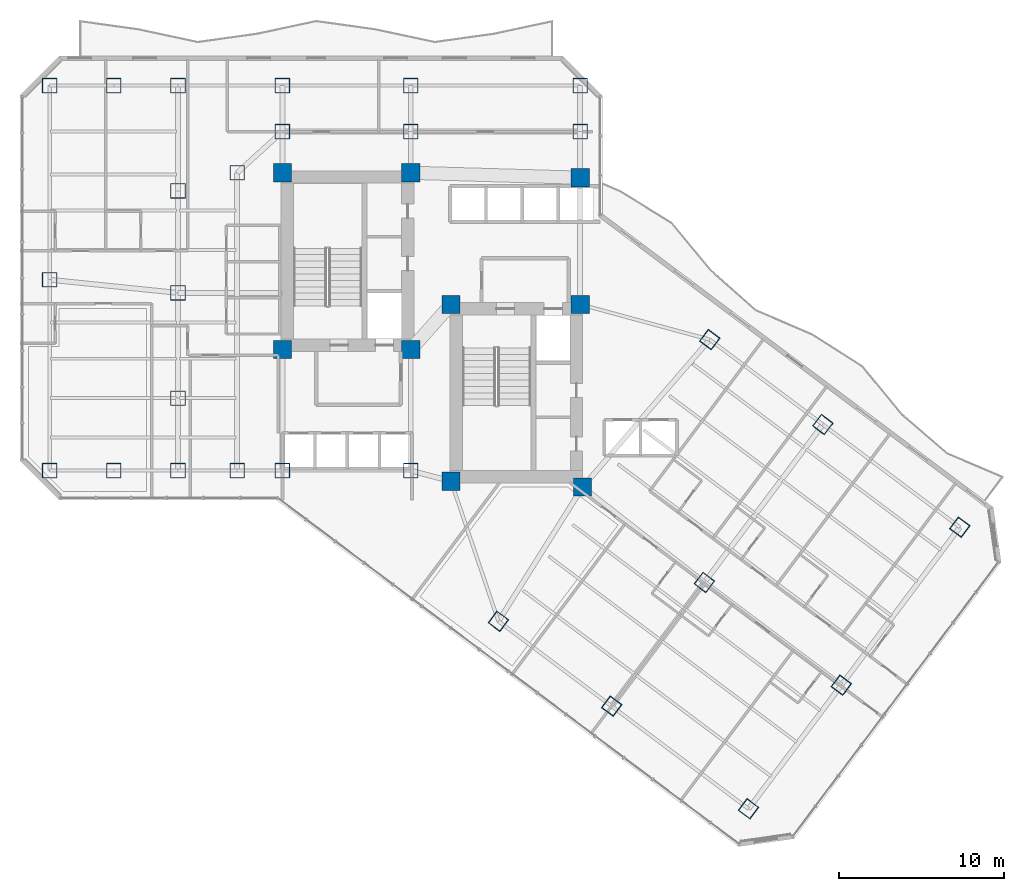
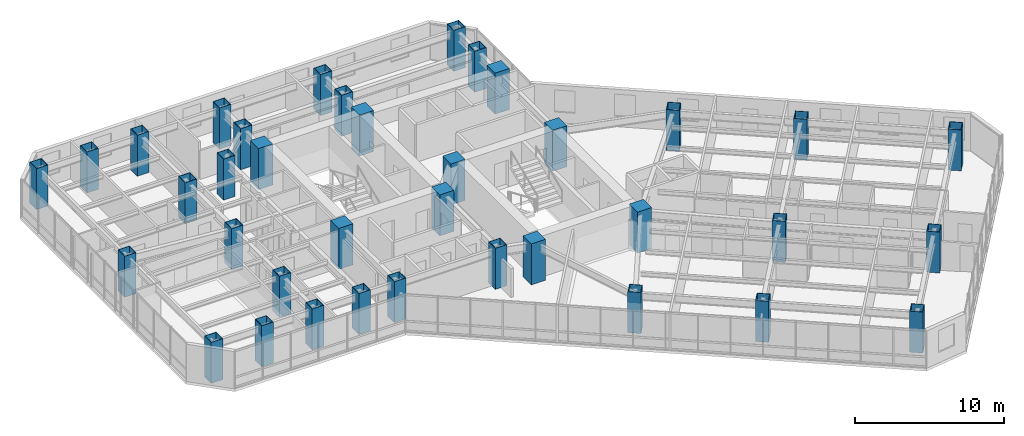
# One storey, part 1 of 36: 37 columns.
"""IFC4 building model written with IfcOpenShell, lengths in metres."""

from ifc_helpers import new_model, si_unit, direction, frame, origin, origin_2d, place, context, subcontext, project, spatial, rectangle, hollow_rectangle, extrude, material, material_profile, profile_set, type_object, element, save


model = new_model("IFC4")

# Units and contexts
model_context = context("Model", 3, precision=1e-05, world=origin(), true_north=direction((0.0, 1.0)))
body_context = subcontext(model_context, "Body", "Model", "MODEL_VIEW")
ifc_project = project(units=[si_unit("LENGTHUNIT", "METRE"), si_unit("AREAUNIT", "SQUARE_METRE"), si_unit("VOLUMEUNIT", "CUBIC_METRE"), si_unit("PLANEANGLEUNIT", "RADIAN"), si_unit("MASSUNIT", "GRAM", prefix="KILO")], contexts=[model_context])

# Site, building, storey
site_placement = place(None, origin())
site = spatial("IfcSite", under=ifc_project, at=site_placement, CompositionType="ELEMENT")
building_placement = place(site_placement, origin())
building = spatial("IfcBuilding", under=site, at=building_placement, Name="Hatsunagi Terrace Concourse", CompositionType="ELEMENT")
storey_placement = place(building_placement, frame((0.0, 0.0, 88.0)))
storey = spatial("IfcBuildingStorey", under=building, at=storey_placement, Name="L23", CompositionType="ELEMENT", Elevation=88.0)

# Columns
ifc_material_1 = material(Name="Concrete Fc60", Category="concrete")
ifc_material_profile_1 = material_profile(ifc_material_1, rectangle(XDim=1.10009765625, YDim=1.10009765625, at=origin_2d()), Name="RC-1100x1100")
ifc_profile_set_1 = profile_set([ifc_material_profile_1], Name="Concrete Fc60")
column_type_1 = type_object("IfcColumnType", Name="CoreColumn_RC_1100x1100", PredefinedType="COLUMN", material=ifc_profile_set_1)
for number, where, z_axis, x_axis, name in (
    (1, (25.550048828125, 32.550048828125, 0.0), (0.0, 0.0, 1.0), (1.0, 0.0, 0.0), "Column C-01 L23-CASW"),
    (2, (33.35009765625, 32.550048828125, 0.0), (0.0, 0.0, 1.0), (1.0, 0.0, 0.0), "Column C-01 L23-CASE"),
    (3, (25.550048828125, 43.300048828125, 0.0), (0.0, 0.0, 1.0), (1.0, 0.0, 0.0), "Column C-01 L23-CANW"),
    (4, (33.35009765625, 43.300048828125, 0.0), (0.0, 0.0, 1.0), (1.0, 0.0, 0.0), "Column C-01 L23-CANE"),
    (5, (35.800048828125, 24.550048828125, 0.0), (0.0, 0.0, 1.0), (1.0, 0.0, 0.0), "Column C-01 L23-CBSW"),
    (6, (43.800048828125, 24.199951171875, 0.0), (0.0, 0.0, 1.0), (1.0, 0.0, 0.0), "Column C-01 L23-CBSE"),
    (7, (35.800048828125, 35.300048828125, 0.0), (0.0, 0.0, 1.0), (1.0, 0.0, 0.0), "Column C-01 L23-CBNW"),
    (8, (43.64990234375, 35.300048828125, 0.0), (0.0, 0.0, 1.0), (1.0, 0.0, 0.0), "Column C-01 L23-CBNE"),
    (9, (43.64990234375, 43.0, 0.0), (0.0, 0.0, 1.0), (1.0, 0.0, 0.0), "Column C-01 L23-K3"),
):
    element("IfcColumn", number, at=place(storey_placement, frame(where, z_axis=z_axis, x_axis=x_axis)), inside=storey, type_object=column_type_1, Name=name, PredefinedType="COLUMN", context=body_context, shape_type="SweptSolid", body=[
        extrude(rectangle(XDim=1.10009765625, YDim=1.10009765625, at=origin_2d()), origin(), (0.0, 0.0, 1.0), 3.35009765625),
    ])
ifc_material_2 = material(Name="Steel BCP325T", Category="steel")
ifc_material_profile_2 = material_profile(ifc_material_2, hollow_rectangle(XDim=0.89990234375, YDim=0.89990234375, WallThickness=0.035888671875, at=origin_2d()), Name="BCP-900x900x36")
ifc_profile_set_2 = profile_set([ifc_material_profile_2], Name="Steel BCP325T")
column_type_2 = type_object("IfcColumnType", Name="TowerBoxColumn_900x900x36", PredefinedType="COLUMN", material=ifc_profile_set_2)
for number, where, z_axis, x_axis, name in (
    (10, (25.550048828125, 25.199951171875, 0.0), (0.0, 0.0, 1.0), (1.0, 0.0, 0.0), "Column C-04 L23-K1"),
    (11, (33.35009765625, 25.199951171875, 0.0), (0.0, 0.0, 1.0), (1.0, 0.0, 0.0), "Column C-04 L23-K2"),
    (12, (25.550048828125, 45.800048828125, 0.0), (0.0, 0.0, 1.0), (1.0, 0.0, 0.0), "Column C-04 L23-CN1"),
    (13, (33.35009765625, 45.800048828125, 0.0), (0.0, 0.0, 1.0), (1.0, 0.0, 0.0), "Column C-04 L23-CN2"),
    (14, (43.64990234375, 45.800048828125, 0.0), (0.0, 0.0, 1.0), (1.0, 0.0, 0.0), "Column C-04 L23-CN3"),
    (15, (11.39990234375, 25.199951171875, 0.0), (0.0, 0.0, 1.0), (1.0, 0.0, 0.0), "Column C-04 L23-WS2"),
    (16, (11.39990234375, 48.60009765625, 0.0), (0.0, 0.0, 1.0), (1.0, 0.0, 0.0), "Column C-04 L23-WN2"),
    (17, (19.199951171875, 48.60009765625, 0.0), (0.0, 0.0, 1.0), (1.0, 0.0, 0.0), "Column C-04 L23-WN3"),
    (18, (25.550048828125, 48.60009765625, 0.0), (0.0, 0.0, 1.0), (1.0, 0.0, 0.0), "Column C-04 L23-WN4"),
    (19, (33.35009765625, 48.60009765625, 0.0), (0.0, 0.0, 1.0), (1.0, 0.0, 0.0), "Column C-04 L23-WN5"),
    (20, (43.64990234375, 48.60009765625, 0.0), (0.0, 0.0, 1.0), (1.0, 0.0, 0.0), "Column C-04 L23-WN6"),
    (21, (19.199951171875, 25.199951171875, 0.0), (0.0, 0.0, 1.0), (1.0, 0.0, 0.0), "Column C-04 L23-WS3"),
    (22, (19.199951171875, 29.60009765625, 0.0), (0.0, 0.0, 1.0), (1.0, 0.0, 0.0), "Column C-04 L23-WR1"),
    (23, (19.199951171875, 42.199951171875, 0.0), (0.0, 0.0, 1.0), (1.0, 0.0, 0.0), "Column C-04 L23-WR2"),
    (24, (22.800048828125, 25.199951171875, 0.0), (0.0, 0.0, 1.0), (1.0, 0.0, 0.0), "Column C-04 L23-CW1"),
    (25, (22.800048828125, 43.300048828125, 0.0), (0.0, 0.0, 1.0), (1.0, 0.0, 0.0), "Column C-04 L23-CW2"),
    (26, (11.39990234375, 36.800048828125, 0.0), (0.0, 0.0, 1.0), (1.0, 0.0, 0.0), "Column C-04 L23-WT1"),
    (27, (19.199951171875, 36.0, 0.0), (0.0, 0.0, 1.0), (1.0, 0.0, 0.0), "Column C-04 L23-WT2"),
    (28, (15.300048828125, 25.199951171875, 0.0), (0.0, 0.0, 1.0), (1.0, 0.0, 0.0), "Column C-04 L23-WT3"),
    (29, (15.300048828125, 48.60009765625, 0.0), (0.0, 0.0, 1.0), (1.0, 0.0, 0.0), "Column C-04 L23-WT4"),
    (30, (38.679931640625, 16.0400390625, 0.0), (0.0, 0.0, 1.0), (0.799999996291, -0.600000004945, 0.0), "Column C-04 L23-SES1"),
    (31, (51.52001953125, 33.159912109375, 0.0), (0.0, 0.0, 1.0), (0.799999996291, -0.600000004945, 0.0), "Column C-04 L23-SEN1"),
    (32, (45.56005859375, 10.8798828125, 0.0), (0.0, 0.0, 1.0), (0.799999996291, -0.600000004945, 0.0), "Column C-04 L23-SES2"),
    (33, (58.39990234375, 28.0, 0.0), (0.0, 0.0, 1.0), (0.799999996291, -0.600000004945, 0.0), "Column C-04 L23-SEN2"),
    (34, (51.199951171875, 18.39990234375, 0.0), (0.0, 0.0, 1.0), (0.799999996291, -0.600000004945, 0.0), "Column C-04 L23-SEM2"),
    (35, (53.8798828125, 4.639892578125, 0.0), (0.0, 0.0, 1.0), (0.799999996291, -0.600000004945, 0.0), "Column C-04 L23-SES3"),
    (36, (66.719970703125, 21.760009765625, 0.0), (0.0, 0.0, 1.0), (0.799999996291, -0.600000004945, 0.0), "Column C-04 L23-SEN3"),
    (37, (59.52001953125, 12.159912109375, 0.0), (0.0, 0.0, 1.0), (0.799999996291, -0.600000004945, 0.0), "Column C-04 L23-SEM3"),
):
    element("IfcColumn", number, at=place(storey_placement, frame(where, z_axis=z_axis, x_axis=x_axis)), inside=storey, type_object=column_type_2, Name=name, PredefinedType="COLUMN", context=body_context, shape_type="SweptSolid", body=[
        extrude(hollow_rectangle(XDim=0.89990234375, YDim=0.89990234375, WallThickness=0.035888671875, at=origin_2d()), origin(), (0.0, 0.0, 1.0), 3.35009765625),
    ])

save(model, "model.ifc")
